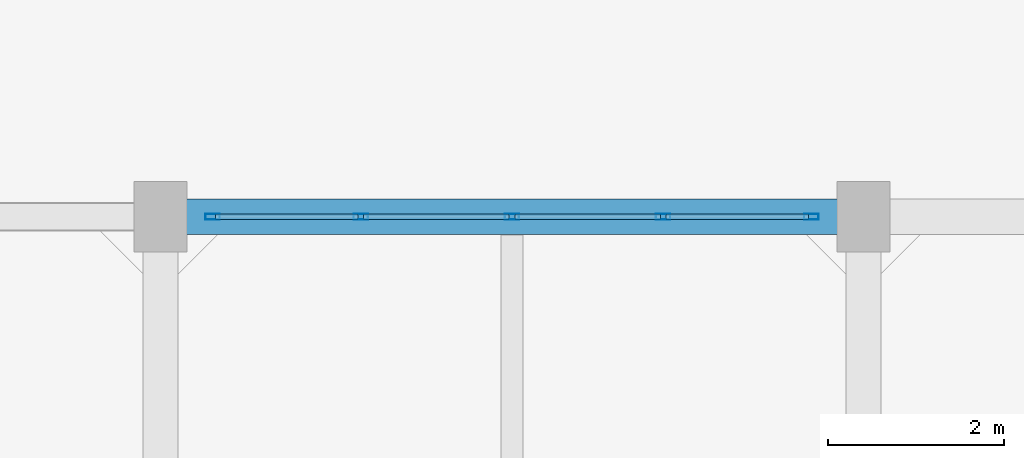
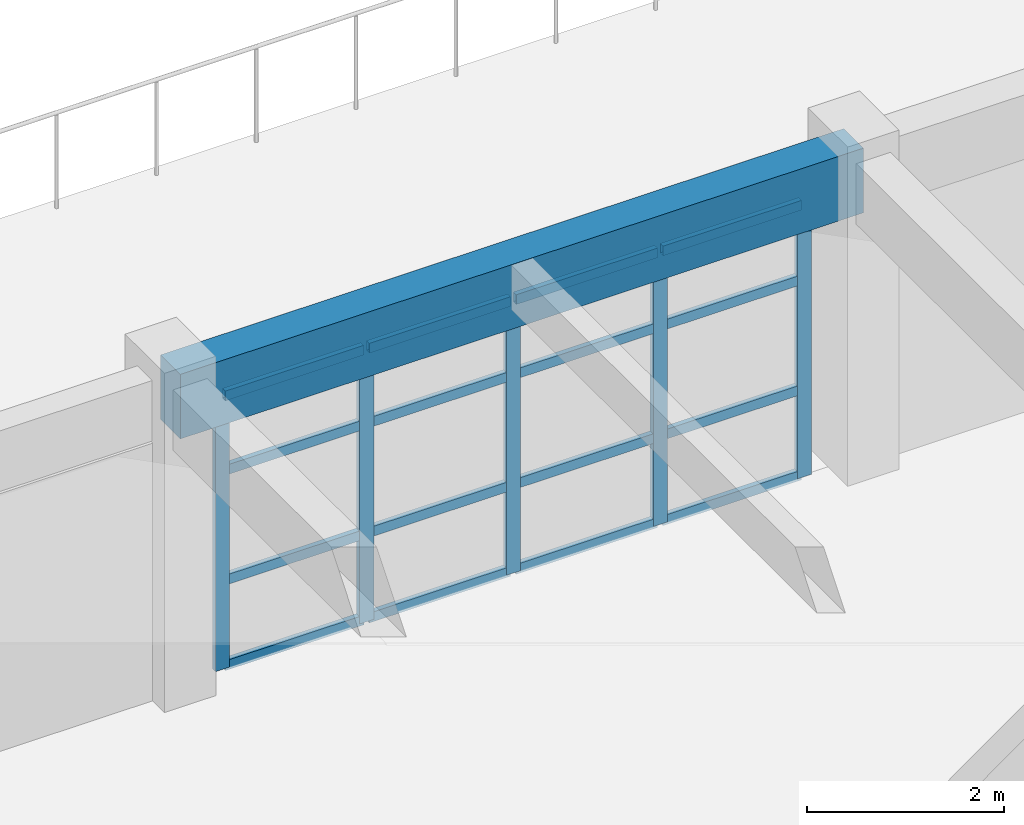
# One storey, part 17 of 30: 21 members, 1 beam, 1 element without a shape of its own.
"""IFC4 building model written with IfcOpenShell, lengths in metres."""

from ifc_helpers import new_model, si_unit, direction, frame, origin, origin_2d, place, context, subcontext, project, spatial, rectangle, hollow_rectangle, extrude, material, layer, layer_set, material_profile, profile_set, type_object, element, aggregate, save


model = new_model("IFC4")

# Units and contexts
model_context = context("Model", 3, precision=1e-05, world=origin(), true_north=direction((0.0, 1.0)))
body_context = subcontext(model_context, "Body", "Model", "MODEL_VIEW")
ifc_project = project(units=[si_unit("LENGTHUNIT", "METRE"), si_unit("AREAUNIT", "SQUARE_METRE"), si_unit("VOLUMEUNIT", "CUBIC_METRE"), si_unit("PLANEANGLEUNIT", "RADIAN"), si_unit("MASSUNIT", "GRAM", prefix="KILO")], contexts=[model_context])

# Site, building, storey
site_placement = place(None, origin())
site = spatial("IfcSite", under=ifc_project, at=site_placement, CompositionType="ELEMENT")
building_placement = place(site_placement, origin())
building = spatial("IfcBuilding", under=site, at=building_placement, Name="Canggui Botanical Conservatory", CompositionType="ELEMENT")
storey_placement = place(building_placement, frame((0.0, 0.0, 19.199951171875)))
storey = spatial("IfcBuildingStorey", under=building, at=storey_placement, Name="L05", CompositionType="ELEMENT", Elevation=19.199951171875)

# Beam
ifc_material_1 = material(Name="Concrete C35", Category="concrete")
ifc_material_profile_1 = material_profile(ifc_material_1, rectangle(XDim=0.39990234375, YDim=0.800048828125, at=origin_2d()), Name="RB 400x800")
ifc_profile_set_1 = profile_set([ifc_material_profile_1], Name="Concrete C35")
beam_type = type_object("IfcBeamType", Name="BM-KL09", PredefinedType="BEAM", material=ifc_profile_set_1)
beam_placement = place(storey_placement, frame((146.0, 74.0, 3.56005859375), z_axis=(1.0, 0.0, 0.0), x_axis=(0.0, 1.0, 0.0)))
element("IfcBeam", 1, at=beam_placement, inside=storey, type_object=beam_type, Name="Frame Girder L05 Y74-2", PredefinedType="BEAM", context=body_context, shape_type="SweptSolid", body=[
    extrude(rectangle(XDim=0.39990234375, YDim=0.800048828125, at=origin_2d()), origin(), (0.0, 0.0, 1.0), 8.0),
])

# Curtain wall, members
ifc_material_2 = material(Name="Thermally Broken Aluminium", Category="aluminium")
ifc_layer = layer(ifc_material_2, 0.1650390625, Name="Thermally Broken Aluminium", Category="aluminium")
ifc_layer_set = layer_set([ifc_layer], Name="Thermally Broken Aluminium")
curtain_wall_type = type_object("IfcCurtainWallType", Name="CW-UNIT-B", PredefinedType="USERDEFINED", material=ifc_layer_set)
curtain_wall_placement = place(storey_placement, origin())
curtain_wall = element("IfcCurtainWall", 2, at=curtain_wall_placement, inside=storey, type_object=curtain_wall_type, Name="Facade Curtain Wall CW-TWR-L05-13", ObjectType="UNITISED CURTAIN WALL", PredefinedType="USERDEFINED")
ifc_material_profile_2 = material_profile(ifc_material_2, hollow_rectangle(XDim=0.06494140625, YDim=0.1650390625, WallThickness=0.00390625, at=origin_2d()), Name="CWM 65x165x4")
ifc_profile_set_2 = profile_set([ifc_material_profile_2], Name="Thermally Broken Aluminium")
member_type_1 = type_object("IfcMemberType", Name="CWM-02", PredefinedType="MULLION", material=ifc_profile_set_2)
member_1_placement = place(storey_placement, frame((146.592529296875, 74.0, 0.0), z_axis=(0.0, 0.0, 1.0), x_axis=(0.0, 1.0, 0.0)))
member_1 = element("IfcMember", 3, at=member_1_placement, type_object=member_type_1, Name="CW-02 mullion 1", PredefinedType="MULLION", context=body_context, shape_type="SweptSolid", body=[
    extrude(hollow_rectangle(XDim=0.06494140625, YDim=0.1650390625, WallThickness=0.00390625, at=origin_2d()), origin(), (0.0, 0.0, 1.0), 3.400146484375),
])
member_2_placement = place(storey_placement, frame((148.280029296875, 74.0, 0.0), z_axis=(0.0, 0.0, 1.0), x_axis=(0.0, 1.0, 0.0)))
member_2 = element("IfcMember", 4, at=member_2_placement, type_object=member_type_1, Name="CW-02 mullion 2", PredefinedType="MULLION", context=body_context, shape_type="SweptSolid", body=[
    extrude(hollow_rectangle(XDim=0.06494140625, YDim=0.1650390625, WallThickness=0.00390625, at=origin_2d()), origin(), (0.0, 0.0, 1.0), 3.400146484375),
])
member_3_placement = place(storey_placement, frame((150.0, 74.0, 0.0), z_axis=(0.0, 0.0, 1.0), x_axis=(0.0, 1.0, 0.0)))
member_3 = element("IfcMember", 5, at=member_3_placement, type_object=member_type_1, Name="CW-02 mullion 3", PredefinedType="MULLION", context=body_context, shape_type="SweptSolid", body=[
    extrude(hollow_rectangle(XDim=0.06494140625, YDim=0.1650390625, WallThickness=0.00390625, at=origin_2d()), origin(), (0.0, 0.0, 1.0), 3.400146484375),
])
member_4_placement = place(storey_placement, frame((151.719970703125, 74.0, 0.0), z_axis=(0.0, 0.0, 1.0), x_axis=(0.0, 1.0, 0.0)))
member_4 = element("IfcMember", 6, at=member_4_placement, type_object=member_type_1, Name="CW-02 mullion 4", PredefinedType="MULLION", context=body_context, shape_type="SweptSolid", body=[
    extrude(hollow_rectangle(XDim=0.06494140625, YDim=0.1650390625, WallThickness=0.00390625, at=origin_2d()), origin(), (0.0, 0.0, 1.0), 3.400146484375),
])
member_5_placement = place(storey_placement, frame((153.407470703125, 74.0, 0.0), z_axis=(0.0, 0.0, 1.0), x_axis=(0.0, 1.0, 0.0)))
member_5 = element("IfcMember", 7, at=member_5_placement, type_object=member_type_1, Name="CW-02 mullion 5", PredefinedType="MULLION", context=body_context, shape_type="SweptSolid", body=[
    extrude(hollow_rectangle(XDim=0.06494140625, YDim=0.1650390625, WallThickness=0.00390625, at=origin_2d()), origin(), (0.0, 0.0, 1.0), 3.400146484375),
])
ifc_material_profile_3 = material_profile(ifc_material_2, hollow_rectangle(XDim=0.06005859375, YDim=0.1201171875, WallThickness=0.00341796875, at=origin_2d()), Name="CWT 60x120x3.5")
ifc_profile_set_3 = profile_set([ifc_material_profile_3], Name="Thermally Broken Aluminium")
member_type_2 = type_object("IfcMemberType", Name="CWT-02", PredefinedType="USERDEFINED", material=ifc_profile_set_3)
member_6_placement = place(storey_placement, frame((146.625, 74.0, 0.030029296875), z_axis=(1.0, 0.0, 0.0), x_axis=(0.0, 1.0, 0.0)))
member_6 = element("IfcMember", 8, at=member_6_placement, type_object=member_type_2, Name="CW-02 transom 1.1", ObjectType="TRANSOM", PredefinedType="USERDEFINED", context=body_context, shape_type="SweptSolid", body=[
    extrude(hollow_rectangle(XDim=0.06005859375, YDim=0.1201171875, WallThickness=0.00341796875, at=origin_2d()), origin(), (0.0, 0.0, 1.0), 1.62255859375),
])
member_7_placement = place(storey_placement, frame((146.625, 74.0, 1.088134765625), z_axis=(1.0, 0.0, 0.0), x_axis=(0.0, 1.0, 0.0)))
member_7 = element("IfcMember", 9, at=member_7_placement, type_object=member_type_2, Name="CW-02 transom 1.2", ObjectType="TRANSOM", PredefinedType="USERDEFINED", context=body_context, shape_type="SweptSolid", body=[
    extrude(hollow_rectangle(XDim=0.06005859375, YDim=0.1201171875, WallThickness=0.00341796875, at=origin_2d()), origin(), (0.0, 0.0, 1.0), 1.62255859375),
])
member_8_placement = place(storey_placement, frame((146.625, 74.0, 2.447998046875), z_axis=(1.0, 0.0, 0.0), x_axis=(0.0, 1.0, 0.0)))
member_8 = element("IfcMember", 10, at=member_8_placement, type_object=member_type_2, Name="CW-02 transom 1.3", ObjectType="TRANSOM", PredefinedType="USERDEFINED", context=body_context, shape_type="SweptSolid", body=[
    extrude(hollow_rectangle(XDim=0.06005859375, YDim=0.1201171875, WallThickness=0.00341796875, at=origin_2d()), origin(), (0.0, 0.0, 1.0), 1.62255859375),
])
member_9_placement = place(storey_placement, frame((146.625, 74.0, 3.3701171875), z_axis=(1.0, 0.0, 0.0), x_axis=(0.0, 1.0, 0.0)))
member_9 = element("IfcMember", 11, at=member_9_placement, type_object=member_type_2, Name="CW-02 transom 1.4", ObjectType="TRANSOM", PredefinedType="USERDEFINED", context=body_context, shape_type="SweptSolid", body=[
    extrude(hollow_rectangle(XDim=0.06005859375, YDim=0.1201171875, WallThickness=0.00341796875, at=origin_2d()), origin(), (0.0, 0.0, 1.0), 1.62255859375),
])
member_10_placement = place(storey_placement, frame((148.3125, 74.0, 0.030029296875), z_axis=(1.0, 0.0, 0.0), x_axis=(0.0, 1.0, 0.0)))
member_10 = element("IfcMember", 12, at=member_10_placement, type_object=member_type_2, Name="CW-02 transom 2.1", ObjectType="TRANSOM", PredefinedType="USERDEFINED", context=body_context, shape_type="SweptSolid", body=[
    extrude(hollow_rectangle(XDim=0.06005859375, YDim=0.1201171875, WallThickness=0.00341796875, at=origin_2d()), origin(), (0.0, 0.0, 1.0), 1.655029296875),
])
member_11_placement = place(storey_placement, frame((148.3125, 74.0, 1.088134765625), z_axis=(1.0, 0.0, 0.0), x_axis=(0.0, 1.0, 0.0)))
member_11 = element("IfcMember", 13, at=member_11_placement, type_object=member_type_2, Name="CW-02 transom 2.2", ObjectType="TRANSOM", PredefinedType="USERDEFINED", context=body_context, shape_type="SweptSolid", body=[
    extrude(hollow_rectangle(XDim=0.06005859375, YDim=0.1201171875, WallThickness=0.00341796875, at=origin_2d()), origin(), (0.0, 0.0, 1.0), 1.655029296875),
])
member_12_placement = place(storey_placement, frame((148.3125, 74.0, 2.447998046875), z_axis=(1.0, 0.0, 0.0), x_axis=(0.0, 1.0, 0.0)))
member_12 = element("IfcMember", 14, at=member_12_placement, type_object=member_type_2, Name="CW-02 transom 2.3", ObjectType="TRANSOM", PredefinedType="USERDEFINED", context=body_context, shape_type="SweptSolid", body=[
    extrude(hollow_rectangle(XDim=0.06005859375, YDim=0.1201171875, WallThickness=0.00341796875, at=origin_2d()), origin(), (0.0, 0.0, 1.0), 1.655029296875),
])
member_13_placement = place(storey_placement, frame((148.3125, 74.0, 3.3701171875), z_axis=(1.0, 0.0, 0.0), x_axis=(0.0, 1.0, 0.0)))
member_13 = element("IfcMember", 15, at=member_13_placement, type_object=member_type_2, Name="CW-02 transom 2.4", ObjectType="TRANSOM", PredefinedType="USERDEFINED", context=body_context, shape_type="SweptSolid", body=[
    extrude(hollow_rectangle(XDim=0.06005859375, YDim=0.1201171875, WallThickness=0.00341796875, at=origin_2d()), origin(), (0.0, 0.0, 1.0), 1.655029296875),
])
member_14_placement = place(storey_placement, frame((150.032470703125, 74.0, 0.030029296875), z_axis=(1.0, 0.0, 0.0), x_axis=(0.0, 1.0, 0.0)))
member_14 = element("IfcMember", 16, at=member_14_placement, type_object=member_type_2, Name="CW-02 transom 3.1", ObjectType="TRANSOM", PredefinedType="USERDEFINED", context=body_context, shape_type="SweptSolid", body=[
    extrude(hollow_rectangle(XDim=0.06005859375, YDim=0.1201171875, WallThickness=0.00341796875, at=origin_2d()), origin(), (0.0, 0.0, 1.0), 1.655029296875),
])
member_15_placement = place(storey_placement, frame((150.032470703125, 74.0, 1.088134765625), z_axis=(1.0, 0.0, 0.0), x_axis=(0.0, 1.0, 0.0)))
member_15 = element("IfcMember", 17, at=member_15_placement, type_object=member_type_2, Name="CW-02 transom 3.2", ObjectType="TRANSOM", PredefinedType="USERDEFINED", context=body_context, shape_type="SweptSolid", body=[
    extrude(hollow_rectangle(XDim=0.06005859375, YDim=0.1201171875, WallThickness=0.00341796875, at=origin_2d()), origin(), (0.0, 0.0, 1.0), 1.655029296875),
])
member_16_placement = place(storey_placement, frame((150.032470703125, 74.0, 2.447998046875), z_axis=(1.0, 0.0, 0.0), x_axis=(0.0, 1.0, 0.0)))
member_16 = element("IfcMember", 18, at=member_16_placement, type_object=member_type_2, Name="CW-02 transom 3.3", ObjectType="TRANSOM", PredefinedType="USERDEFINED", context=body_context, shape_type="SweptSolid", body=[
    extrude(hollow_rectangle(XDim=0.06005859375, YDim=0.1201171875, WallThickness=0.00341796875, at=origin_2d()), origin(), (0.0, 0.0, 1.0), 1.655029296875),
])
member_17_placement = place(storey_placement, frame((150.032470703125, 74.0, 3.3701171875), z_axis=(1.0, 0.0, 0.0), x_axis=(0.0, 1.0, 0.0)))
member_17 = element("IfcMember", 19, at=member_17_placement, type_object=member_type_2, Name="CW-02 transom 3.4", ObjectType="TRANSOM", PredefinedType="USERDEFINED", context=body_context, shape_type="SweptSolid", body=[
    extrude(hollow_rectangle(XDim=0.06005859375, YDim=0.1201171875, WallThickness=0.00341796875, at=origin_2d()), origin(), (0.0, 0.0, 1.0), 1.655029296875),
])
member_18_placement = place(storey_placement, frame((151.75244140625, 74.0, 0.030029296875), z_axis=(1.0, 0.0, 0.0), x_axis=(0.0, 1.0, 0.0)))
member_18 = element("IfcMember", 20, at=member_18_placement, type_object=member_type_2, Name="CW-02 transom 4.1", ObjectType="TRANSOM", PredefinedType="USERDEFINED", context=body_context, shape_type="SweptSolid", body=[
    extrude(hollow_rectangle(XDim=0.06005859375, YDim=0.1201171875, WallThickness=0.00341796875, at=origin_2d()), origin(), (0.0, 0.0, 1.0), 1.62255859375),
])
member_19_placement = place(storey_placement, frame((151.75244140625, 74.0, 1.088134765625), z_axis=(1.0, 0.0, 0.0), x_axis=(0.0, 1.0, 0.0)))
member_19 = element("IfcMember", 21, at=member_19_placement, type_object=member_type_2, Name="CW-02 transom 4.2", ObjectType="TRANSOM", PredefinedType="USERDEFINED", context=body_context, shape_type="SweptSolid", body=[
    extrude(hollow_rectangle(XDim=0.06005859375, YDim=0.1201171875, WallThickness=0.00341796875, at=origin_2d()), origin(), (0.0, 0.0, 1.0), 1.62255859375),
])
member_20_placement = place(storey_placement, frame((151.75244140625, 74.0, 2.447998046875), z_axis=(1.0, 0.0, 0.0), x_axis=(0.0, 1.0, 0.0)))
member_20 = element("IfcMember", 22, at=member_20_placement, type_object=member_type_2, Name="CW-02 transom 4.3", ObjectType="TRANSOM", PredefinedType="USERDEFINED", context=body_context, shape_type="SweptSolid", body=[
    extrude(hollow_rectangle(XDim=0.06005859375, YDim=0.1201171875, WallThickness=0.00341796875, at=origin_2d()), origin(), (0.0, 0.0, 1.0), 1.62255859375),
])
member_21_placement = place(storey_placement, frame((151.75244140625, 74.0, 3.3701171875), z_axis=(1.0, 0.0, 0.0), x_axis=(0.0, 1.0, 0.0)))
member_21 = element("IfcMember", 23, at=member_21_placement, type_object=member_type_2, Name="CW-02 transom 4.4", ObjectType="TRANSOM", PredefinedType="USERDEFINED", context=body_context, shape_type="SweptSolid", body=[
    extrude(hollow_rectangle(XDim=0.06005859375, YDim=0.1201171875, WallThickness=0.00341796875, at=origin_2d()), origin(), (0.0, 0.0, 1.0), 1.62255859375),
])
aggregate(curtain_wall, [member_1, member_2, member_3, member_4, member_5, member_6, member_7, member_8, member_9, member_10, member_11, member_12, member_13, member_14, member_15, member_16, member_17, member_18, member_19, member_20, member_21])

save(model, "model.ifc")
